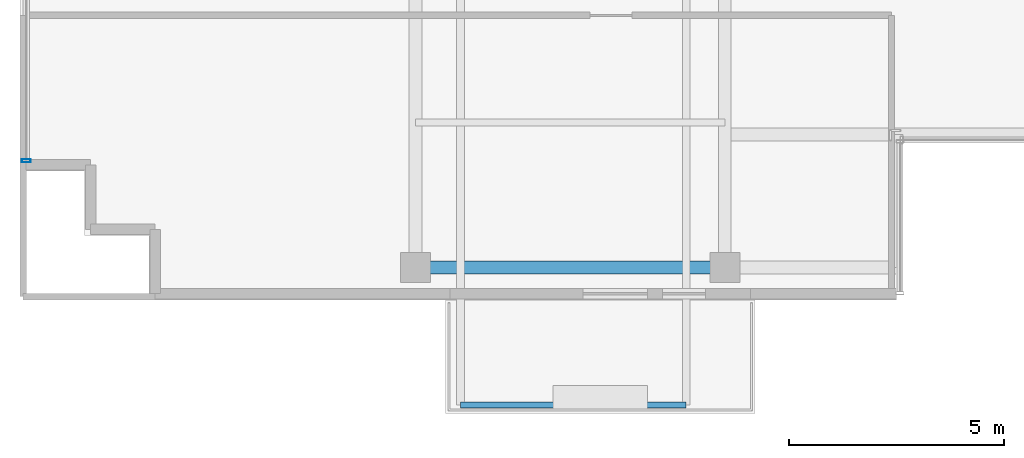
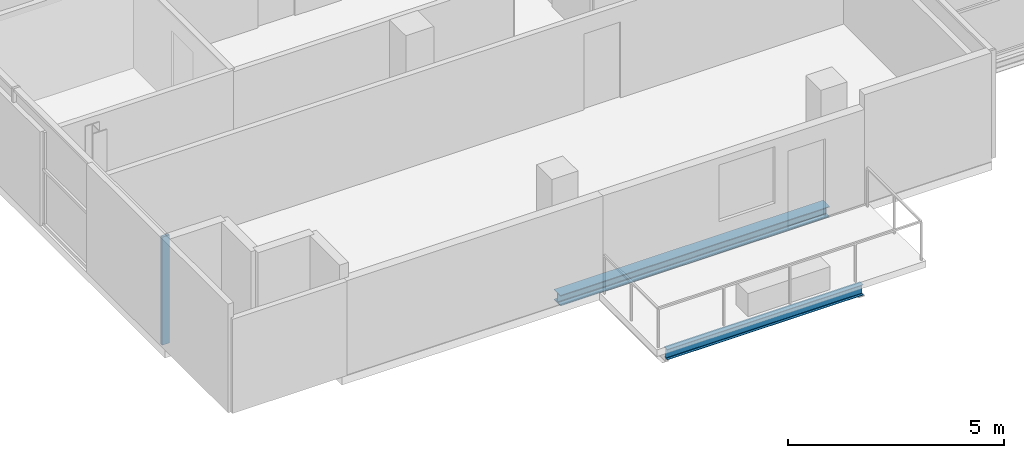
# One storey, part 2 of 23: 2 beams, 1 member, 1 element without a shape of its own.
"""IFC4 building model written with IfcOpenShell, lengths in metres."""

from ifc_helpers import new_model, si_unit, direction, frame, origin, origin_2d, place, context, subcontext, project, spatial, hollow_rectangle, i_section, extrude, source, transform, mapped, material, layer, layer_set, material_profile, profile_set, type_object, element, aggregate, save


model = new_model("IFC4")

# Units and contexts
model_context = context("Model", 3, precision=1e-05, world=origin(), true_north=direction((0.0, 1.0)))
body_context = subcontext(model_context, "Body", "Model", "MODEL_VIEW")
ifc_project = project(units=[si_unit("LENGTHUNIT", "METRE"), si_unit("AREAUNIT", "SQUARE_METRE"), si_unit("VOLUMEUNIT", "CUBIC_METRE"), si_unit("PLANEANGLEUNIT", "RADIAN"), si_unit("MASSUNIT", "GRAM", prefix="KILO")], contexts=[model_context])

# Site, building, storey
site_placement = place(None, origin())
site = spatial("IfcSite", under=ifc_project, at=site_placement, CompositionType="ELEMENT")
building_placement = place(site_placement, origin())
building = spatial("IfcBuilding", under=site, at=building_placement, Name="Zarnakvel Exchange Tower", CompositionType="ELEMENT")
storey_placement = place(building_placement, frame((0.0, 0.0, 212.199951171875)))
storey = spatial("IfcBuildingStorey", under=building, at=storey_placement, Name="L59", CompositionType="ELEMENT", Elevation=212.199951171875)

# Beams
ifc_material_1 = material(Name="Steel S355", Category="steel")
ifc_material_profile_1 = material_profile(ifc_material_1, i_section(OverallWidth=0.14990234375, OverallDepth=0.300048828125, WebThickness=0.007080078125, FlangeThickness=0.0107421875, FilletRadius=0.014892578125, at=origin_2d()))
ifc_profile_set_1 = profile_set([ifc_material_profile_1], Name="Steel S355")
beam_type_1 = type_object("IfcBeamType", Name="B-08", PredefinedType="JOIST", material=ifc_profile_set_1)
beam_1_placement = place(storey_placement, frame((-13.35009765625, -19.550048828125, -0.375), z_axis=(1.0, 0.0, 0.0), x_axis=(0.0, 1.0, 0.0)))
element("IfcBeam", 1, at=beam_1_placement, inside=storey, type_object=beam_type_1, Name="L59 Balcony Edge Beam", PredefinedType="JOIST", context=body_context, shape_type="SweptSolid", body=[
    extrude(i_section(OverallWidth=0.14990234375, OverallDepth=0.300048828125, WebThickness=0.007080078125, FlangeThickness=0.0107421875, FilletRadius=0.014892578125, at=origin_2d()), origin(), (0.0, 0.0, 1.0), 5.25),
])
ifc_material_profile_2 = material_profile(ifc_material_1, i_section(OverallWidth=0.300048828125, OverallDepth=0.300048828125, WebThickness=0.010986328125, FlangeThickness=0.01904296875, FilletRadius=0.027099609375, at=origin_2d()))
ifc_profile_set_2 = profile_set([ifc_material_profile_2], Name="Steel S355")
beam_type_2 = type_object("IfcBeamType", Name="SP-03", PredefinedType="SPANDREL", material=ifc_profile_set_2)
beam_2_placement = place(storey_placement, frame((-14.39990234375, -16.35009765625, -0.375), z_axis=(1.0, 0.0, 0.0), x_axis=(0.0, 1.0, 0.0)))
element("IfcBeam", 2, at=beam_2_placement, inside=storey, type_object=beam_type_2, Name="L59 Tower E-W Frame Beam", PredefinedType="SPANDREL", context=body_context, shape_type="SweptSolid", body=[
    extrude(i_section(OverallWidth=0.300048828125, OverallDepth=0.300048828125, WebThickness=0.010986328125, FlangeThickness=0.01904296875, FilletRadius=0.027099609375, at=origin_2d()), origin(), (0.0, 0.0, 1.0), 7.199951171875),
])

# Curtain wall, member
ifc_material_2 = material(Name="Architectural Bronze Anodised Aluminium", Category="aluminium")
ifc_layer = layer(ifc_material_2, 0.199951171875)
ifc_layer_set = layer_set([ifc_layer], Name="Architectural Bronze Anodised Aluminium")
curtain_wall_type = type_object("IfcCurtainWallType", Name="CW-04", PredefinedType="NOTDEFINED", material=ifc_layer_set)
curtain_wall_placement = place(storey_placement, origin())
curtain_wall = element("IfcCurtainWall", 3, at=curtain_wall_placement, inside=storey, type_object=curtain_wall_type, Name="L59 Curtain Wall CW-L59-W1 (CW-04)", PredefinedType="NOTDEFINED")
ifc_material_profile_3 = material_profile(ifc_material_2, hollow_rectangle(XDim=0.199951171875, YDim=0.074951171875, WallThickness=0.0048828125, at=origin_2d()))
ifc_profile_set_3 = profile_set([ifc_material_profile_3], Name="Architectural Bronze Anodised Aluminium")
member_type = type_object("IfcMemberType", Name="CWM-04", PredefinedType="MULLION", material=ifc_profile_set_3)
shared_shape = source(origin(), body_context, "Body", "SweptSolid", [
    extrude(hollow_rectangle(XDim=0.199951171875, YDim=0.074951171875, WallThickness=0.0048828125, at=origin_2d()), origin(), (0.0, 0.0, 1.0), 3.054931640625),
])
member_placement = place(storey_placement, frame((-23.4599609375, -13.862548828125, 0.0), z_axis=(0.0, 0.0, 1.0), x_axis=(-1.0, 0.0, 0.0)))
member = element("IfcMember", 4, at=member_placement, type_object=member_type, Name="CW-04 mullion 1", PredefinedType="MULLION", context=body_context, shape_type="MappedRepresentation", body=[
    mapped(shared_shape, transform((0.0, 0.0, 0.0), x_axis=(1.0, 0.0, 0.0), y_axis=(0.0, 1.0, 0.0), z_axis=(0.0, 0.0, 1.0), scale=1.0)),
])
aggregate(curtain_wall, [member])

save(model, "model.ifc")
